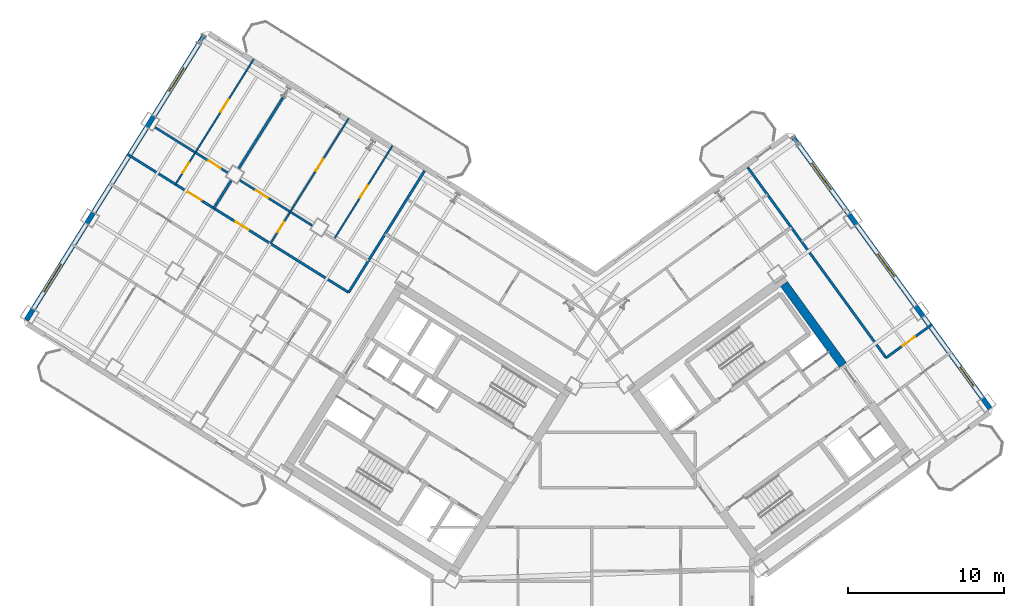
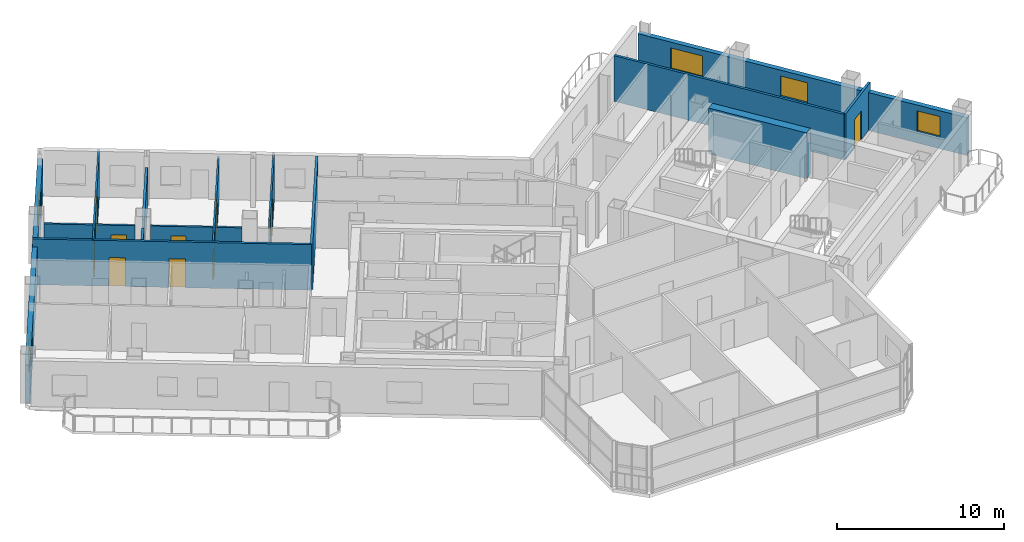
# One storey, part 15 of 20: 16 walls, 10 doors, 5 windows, 15 openings.
"""IFC4 building model written with IfcOpenShell, lengths in metres."""

from ifc_helpers import new_model, si_unit, direction, frame, frame_2d, origin, place, context, subcontext, project, spatial, rectangle, extrude, source, transform, mapped, material, layer, layer_set, type_object, element, fill, save


model = new_model("IFC4")

# Units and contexts
model_context = context("Model", 3, precision=1e-05, world=origin(), true_north=direction((0.0, 1.0)))
body_context = subcontext(model_context, "Body", "Model", "MODEL_VIEW")
ifc_project = project(units=[si_unit("LENGTHUNIT", "METRE"), si_unit("AREAUNIT", "SQUARE_METRE"), si_unit("VOLUMEUNIT", "CUBIC_METRE"), si_unit("PLANEANGLEUNIT", "RADIAN"), si_unit("MASSUNIT", "GRAM", prefix="KILO")], contexts=[model_context])

# Site, building, storey
site_placement = place(None, origin())
site = spatial("IfcSite", under=ifc_project, at=site_placement, CompositionType="ELEMENT")
building_placement = place(site_placement, origin())
building = spatial("IfcBuilding", under=site, at=building_placement, Name="Tlacorven Tower", CompositionType="ELEMENT")
storey_placement = place(building_placement, frame((0.0, 0.0, 116.10009765625)))
storey = spatial("IfcBuildingStorey", under=building, at=storey_placement, Name="L29", CompositionType="ELEMENT", Elevation=116.10009765625)

# Walls
ifc_material_1 = material(Name="Concrete C60/75", Category="concrete")
ifc_layer_1 = layer(ifc_material_1, 0.550048828125)
ifc_layer_set_1 = layer_set([ifc_layer_1], Name="Concrete C60/75")
wall_type_1 = type_object("IfcWallType", Name="WL-COR-550", PredefinedType="SHEAR", material=ifc_layer_set_1)
wall_1_placement = place(storey_placement, frame((58.06396484375, 25.8134765625, 0.0), z_axis=(0.0, 0.0, 1.0), x_axis=(-0.587764933797, 0.809031756236, 0.0)))
element("IfcWall", 1, at=wall_1_placement, inside=storey, type_object=wall_type_1, Name="L29 E core end wall E2.2", PredefinedType="SHEAR", context=body_context, shape_type="SweptSolid", body=[
    extrude(rectangle(XDim=6.425048828125, YDim=0.550048828125, at=frame_2d((3.21240234375, 0.0))), origin(), (0.0, 0.0, 1.0), 3.349853515625),
])
ifc_material_2 = material(Name="Gypsum plasterboard acoustic partition", Category="gypsum")
ifc_layer_2 = layer(ifc_material_2, 0.159912109375)
ifc_layer_set_2 = layer_set([ifc_layer_2], Name="Gypsum plasterboard acoustic partition")
wall_type_2 = type_object("IfcWallType", Name="WL-DEM-160", PredefinedType="PARTITIONING", material=ifc_layer_set_2)
wall_2_placement = place(storey_placement, frame((31.238525390625, 38.27392578125, 0.0), z_axis=(0.0, 0.0, 1.0), x_axis=(-0.529920220799, -0.848047498427, 0.0)))
element("IfcWall", 2, at=wall_2_placement, inside=storey, type_object=wall_type_2, Name="L29 partition 45", PredefinedType="PARTITIONING", context=body_context, shape_type="SweptSolid", body=[
    extrude(rectangle(XDim=9.199951171875, YDim=0.159912109375, at=frame_2d((4.60009765625, 0.0))), origin(), (0.0, 0.0, 1.0), 3.33984375),
])

# Wall, openings, doors
wall_3_placement = place(storey_placement, frame((26.36328125, 30.471923828125, 0.0), z_axis=(0.0, 0.0, 1.0), x_axis=(-0.848052408131, 0.529912363569, 0.0)))
wall_3 = element("IfcWall", 3, at=wall_3_placement, inside=storey, type_object=wall_type_2, Name="L29 Wing W Corridor South Wall", PredefinedType="PARTITIONING", context=body_context, shape_type="SweptSolid", body=[
    extrude(rectangle(XDim=16.72998046875, YDim=0.159912109375, at=frame_2d((8.364990234375, 0.0))), origin(), (0.0, 0.0, 1.0), 3.33984375),
])
opening_1_placement = place(wall_3_placement, frame((7.550048828125, 0.0, 0.0)))
opening_1 = element("IfcOpeningElement", 4, at=opening_1_placement, cuts=wall_3, Name="Opening D11", PredefinedType="OPENING", context=body_context, shape_type="SweptSolid", body=[
    extrude(rectangle(XDim=1.0, YDim=2.10009765625, at=frame_2d((0.5, 1.050048828125))), frame((0.0, 0.08984375, 0.0), z_axis=(0.0, -1.0, 0.0), x_axis=(1.0, 0.0, 0.0)), (0.0, 0.0, 1.0), 0.179931640625),
])
opening_2_placement = place(wall_3_placement, frame((11.139892578125, 0.0, 0.0)))
opening_2 = element("IfcOpeningElement", 5, at=opening_2_placement, cuts=wall_3, Name="Opening D11", PredefinedType="OPENING", context=body_context, shape_type="SweptSolid", body=[
    extrude(rectangle(XDim=1.0, YDim=2.10009765625, at=frame_2d((0.5, 1.050048828125))), frame((0.0, 0.08984375, 0.0), z_axis=(0.0, -1.0, 0.0), x_axis=(1.0, 0.0, 0.0)), (0.0, 0.0, 1.0), 0.179931640625),
])
ifc_material_3 = material(Name="Fire-rated steel door assembly", Category="steel")
door_type_1 = type_object("IfcDoorType", Name="DR-FLT-FD60-1000", OperationType="NOTDEFINED", PredefinedType="DOOR", material=ifc_material_3)
shared_shape_1 = source(origin(), body_context, "Body", "SweptSolid", [
    extrude(rectangle(XDim=1.0, YDim=2.10009765625, at=frame_2d((0.5, 1.050048828125))), frame((0.0, 0.02490234375, 0.0), z_axis=(0.0, -1.0, 0.0), x_axis=(1.0, 0.0, 0.0)), (0.0, 0.0, 1.0), 0.050048828125),
])
door_1_placement = place(opening_1_placement, origin())
door_1 = element("IfcDoor", 6, at=door_1_placement, inside=storey, type_object=door_type_1, Name="L29 door 030", OperationType="SINGLE_SWING_RIGHT", OverallHeight=2.10009765625, OverallWidth=1.0, PredefinedType="DOOR", context=body_context, shape_type="MappedRepresentation", body=[
    mapped(shared_shape_1, transform((0.0, 0.0, 0.0), scale=1.0)),
])
fill(opening_1, door_1)
door_2_placement = place(opening_2_placement, origin())
door_2 = element("IfcDoor", 7, at=door_2_placement, inside=storey, type_object=door_type_1, Name="L29 door 036", OperationType="SINGLE_SWING_RIGHT", OverallHeight=2.10009765625, OverallWidth=1.0, PredefinedType="DOOR", context=body_context, shape_type="MappedRepresentation", body=[
    mapped(shared_shape_1, transform((0.0, 0.0, 0.0), scale=1.0)),
])
fill(opening_2, door_2)

# Walls
wall_4_placement = place(storey_placement, frame((22.179931640625, 43.00634765625, 0.0), z_axis=(0.0, 0.0, 1.0), x_axis=(-0.529913610495, -0.848051628978, 0.0)))
element("IfcWall", 8, at=wall_4_placement, inside=storey, type_object=wall_type_2, Name="L29 WS Demising Wall 1", PredefinedType="PARTITIONING", context=body_context, shape_type="SweptSolid", body=[
    extrude(rectangle(XDim=5.40087890625, YDim=0.159912109375, at=frame_2d((2.700439453125, 0.0))), origin(), (0.0, 0.0, 1.0), 2.77490234375),
])
wall_5_placement = place(storey_placement, frame((18.828125, 37.642578125, 0.0), z_axis=(0.0, 0.0, 1.0), x_axis=(-0.529904345651, -0.848057418139, 0.0)))
element("IfcWall", 9, at=wall_5_placement, inside=storey, type_object=wall_type_2, Name="L29 WS Demising Wall 1", PredefinedType="PARTITIONING", context=body_context, shape_type="SweptSolid", body=[
    extrude(rectangle(XDim=2.087890625, YDim=0.159912109375, at=frame_2d((1.0439453125, 0.0))), origin(), (0.0, 0.0, 1.0), 2.77490234375),
])
wall_6_placement = place(storey_placement, frame((60.829345703125, 26.277587890625, 0.0), z_axis=(0.0, 0.0, 1.0), x_axis=(-0.587777474174, 0.809022645451, 0.0)))
element("IfcWall", 10, at=wall_6_placement, inside=storey, type_object=wall_type_2, Name="L29 partition 90", PredefinedType="PARTITIONING", context=body_context, shape_type="SweptSolid", body=[
    extrude(rectangle(XDim=15.10009765625, YDim=0.159912109375, at=frame_2d((7.550048828125, 0.0))), origin(), (0.0, 0.0, 1.0), 3.33984375),
])

# Wall, opening, door
wall_7_placement = place(storey_placement, frame((60.829345703125, 26.277587890625, 0.0), z_axis=(0.0, 0.0, 1.0), x_axis=(0.809003564202, 0.587803736896, 0.0)))
wall_7 = element("IfcWall", 11, at=wall_7_placement, inside=storey, type_object=wall_type_2, Name="L29 partition 93", PredefinedType="PARTITIONING", context=body_context, shape_type="SweptSolid", body=[
    extrude(rectangle(XDim=3.630126953125, YDim=0.159912109375, at=frame_2d((1.81494140625, 0.0))), origin(), (0.0, 0.0, 1.0), 3.33984375),
])
opening_3_placement = place(wall_7_placement, frame((1.304931640625, 0.0, 0.0)))
opening_3 = element("IfcOpeningElement", 12, at=opening_3_placement, cuts=wall_7, Name="Opening D11", PredefinedType="OPENING", context=body_context, shape_type="SweptSolid", body=[
    extrude(rectangle(XDim=1.0, YDim=2.10009765625, at=frame_2d((0.5, 1.050048828125))), frame((0.0, 0.08984375, 0.0), z_axis=(0.0, -1.0, 0.0), x_axis=(1.0, 0.0, 0.0)), (0.0, 0.0, 1.0), 0.179931640625),
])
door_3_placement = place(opening_3_placement, origin())
door_3 = element("IfcDoor", 13, at=door_3_placement, inside=storey, type_object=door_type_1, Name="L29 door 058", OperationType="SINGLE_SWING_LEFT", OverallHeight=2.10009765625, OverallWidth=1.0, PredefinedType="DOOR", context=body_context, shape_type="MappedRepresentation", body=[
    mapped(shared_shape_1, transform((0.0, 0.0, 0.0), scale=1.0)),
])
fill(opening_3, door_3)

# Wall, openings, windows
ifc_material_4 = material(Name="Precast concrete C45/55", Category="concrete")
ifc_layer_3 = layer(ifc_material_4, 0.320068359375)
ifc_layer_set_3 = layer_set([ifc_layer_3], Name="Precast concrete C45/55")
wall_type_3 = type_object("IfcWallType", Name="WL-EXT-320", PredefinedType="STANDARD", material=ifc_layer_set_3)
wall_8_placement = place(storey_placement, frame((5.699951171875, 28.71044921875, 0.0), z_axis=(0.0, 0.0, 1.0), x_axis=(0.529923711467, 0.8480453172, 0.0)))
wall_8 = element("IfcWall", 14, at=wall_8_placement, inside=storey, type_object=wall_type_3, Name="L29 Masonry-Frame Recessed Facade Wall 2", PredefinedType="STANDARD", context=body_context, shape_type="SweptSolid", body=[
    extrude(rectangle(XDim=21.58740234375, YDim=0.320068359375, at=frame_2d((10.793701171875, 0.0))), origin(), (0.0, 0.0, 1.0), 2.77490234375),
])
opening_4_placement = place(wall_8_placement, frame((2.11865234375, 0.0, 0.800048828125)))
opening_4 = element("IfcOpeningElement", 15, at=opening_4_placement, cuts=wall_8, Name="Opening WN04", PredefinedType="OPENING", context=body_context, shape_type="SweptSolid", body=[
    extrude(rectangle(XDim=2.10009765625, YDim=1.550048828125, at=frame_2d((1.050048828125, 0.77490234375))), frame((0.0, 0.169921875, 0.0), z_axis=(0.0, -1.0, 0.0), x_axis=(1.0, 0.0, 0.0)), (0.0, 0.0, 1.0), 0.340087890625),
])
opening_5_placement = place(wall_8_placement, frame((17.256103515625, 0.0, 0.85009765625)))
opening_5 = element("IfcOpeningElement", 16, at=opening_5_placement, cuts=wall_8, Name="Opening WN01", PredefinedType="OPENING", context=body_context, shape_type="SweptSolid", body=[
    extrude(rectangle(XDim=1.800048828125, YDim=1.5, at=frame_2d((0.89990234375, 0.75))), frame((0.0, 0.169921875, 0.0), z_axis=(0.0, -1.0, 0.0), x_axis=(1.0, 0.0, 0.0)), (0.0, 0.0, 1.0), 0.340087890625),
])
ifc_material_5 = material(Name="Dark solar low-E double glazing in anodised aluminium frame", Category="aluminium")
window_type_1 = type_object("IfcWindowType", Name="WN-APT-2100X1750", PartitioningType="SINGLE_PANEL", PredefinedType="WINDOW", material=ifc_material_5)
shared_shape_2 = source(origin(), body_context, "Body", "SweptSolid", [
    extrude(rectangle(XDim=2.10009765625, YDim=1.550048828125, at=frame_2d((1.050048828125, 0.77490234375))), frame((0.0, 0.030029296875, 0.0), z_axis=(0.0, -1.0, 0.0), x_axis=(1.0, 0.0, 0.0)), (0.0, 0.0, 1.0), 0.06005859375),
])
window_1_placement = place(opening_4_placement, origin())
window_1 = element("IfcWindow", 17, at=window_1_placement, inside=storey, type_object=window_type_1, Name="L29 Recessed Masonry-Frame Window L29-02.1", OverallHeight=1.550048828125, OverallWidth=2.10009765625, PartitioningType="SINGLE_PANEL", PredefinedType="WINDOW", context=body_context, shape_type="MappedRepresentation", body=[
    mapped(shared_shape_2, transform((0.0, 0.0, 0.0), scale=1.0)),
])
fill(opening_4, window_1)
window_type_2 = type_object("IfcWindowType", Name="WN-APT-1800X1650", PartitioningType="SINGLE_PANEL", PredefinedType="WINDOW", material=ifc_material_5)
shared_shape_3 = source(origin(), body_context, "Body", "SweptSolid", [
    extrude(rectangle(XDim=1.800048828125, YDim=1.5, at=frame_2d((0.89990234375, 0.75))), frame((0.0, 0.030029296875, 0.0), z_axis=(0.0, -1.0, 0.0), x_axis=(1.0, 0.0, 0.0)), (0.0, 0.0, 1.0), 0.06005859375),
])
window_2_placement = place(opening_5_placement, origin())
window_2 = element("IfcWindow", 18, at=window_2_placement, inside=storey, type_object=window_type_2, Name="L29 Recessed Masonry-Frame Window L29-02.2", OverallHeight=1.5, OverallWidth=1.800048828125, PartitioningType="SINGLE_PANEL", PredefinedType="WINDOW", context=body_context, shape_type="MappedRepresentation", body=[
    mapped(shared_shape_3, transform((0.0, 0.0, 0.0), scale=1.0)),
])
fill(opening_5, window_2)

wall_9_placement = place(storey_placement, frame((54.810302734375, 40.49951171875, 0.0), z_axis=(0.0, 0.0, 1.0), x_axis=(0.587783625747, -0.809018176127, 0.0)))
wall_9 = element("IfcWall", 19, at=wall_9_placement, inside=storey, type_object=wall_type_3, Name="L29 Masonry-Frame Recessed Facade Wall 5", PredefinedType="STANDARD", context=body_context, shape_type="SweptSolid", body=[
    extrude(rectangle(XDim=21.58740234375, YDim=0.320068359375, at=frame_2d((10.793701171875, 0.0))), origin(), (0.0, 0.0, 1.0), 2.77490234375),
])
opening_6_placement = place(wall_9_placement, frame((2.142578125, 0.0, 0.800048828125)))
opening_6 = element("IfcOpeningElement", 20, at=opening_6_placement, cuts=wall_9, Name="Opening WN04", PredefinedType="OPENING", context=body_context, shape_type="SweptSolid", body=[
    extrude(rectangle(XDim=2.10009765625, YDim=1.550048828125, at=frame_2d((1.050048828125, 0.77490234375))), frame((0.0, 0.169921875, 0.0), z_axis=(0.0, -1.0, 0.0), x_axis=(1.0, 0.0, 0.0)), (0.0, 0.0, 1.0), 0.340087890625),
])
opening_7_placement = place(wall_9_placement, frame((9.34375, 0.0, 0.85009765625)))
opening_7 = element("IfcOpeningElement", 21, at=opening_7_placement, cuts=wall_9, Name="Opening WN01", PredefinedType="OPENING", context=body_context, shape_type="SweptSolid", body=[
    extrude(rectangle(XDim=1.800048828125, YDim=1.5, at=frame_2d((0.89990234375, 0.75))), frame((0.0, 0.169921875, 0.0), z_axis=(0.0, -1.0, 0.0), x_axis=(1.0, 0.0, 0.0)), (0.0, 0.0, 1.0), 0.340087890625),
])
opening_8_placement = place(wall_9_placement, frame((18.30859375, 0.0, 0.85009765625)))
opening_8 = element("IfcOpeningElement", 22, at=opening_8_placement, cuts=wall_9, Name="Opening WN02", PredefinedType="OPENING", context=body_context, shape_type="SweptSolid", body=[
    extrude(rectangle(XDim=1.5, YDim=1.5, at=frame_2d((0.75, 0.75))), frame((0.0, 0.169921875, 0.0), z_axis=(0.0, -1.0, 0.0), x_axis=(1.0, 0.0, 0.0)), (0.0, 0.0, 1.0), 0.340087890625),
])
window_3_placement = place(opening_6_placement, origin())
window_3 = element("IfcWindow", 23, at=window_3_placement, inside=storey, type_object=window_type_1, Name="L29 Recessed Masonry-Frame Window L29-05.1", OverallHeight=1.550048828125, OverallWidth=2.10009765625, PartitioningType="SINGLE_PANEL", PredefinedType="WINDOW", context=body_context, shape_type="MappedRepresentation", body=[
    mapped(shared_shape_2, transform((0.0, 0.0, 0.0), scale=1.0)),
])
fill(opening_6, window_3)
window_4_placement = place(opening_7_placement, origin())
window_4 = element("IfcWindow", 24, at=window_4_placement, inside=storey, type_object=window_type_2, Name="L29 Recessed Masonry-Frame Window L29-05.2", OverallHeight=1.5, OverallWidth=1.800048828125, PartitioningType="SINGLE_PANEL", PredefinedType="WINDOW", context=body_context, shape_type="MappedRepresentation", body=[
    mapped(shared_shape_3, transform((0.0, 0.0, 0.0), scale=1.0)),
])
fill(opening_7, window_4)
window_type_3 = type_object("IfcWindowType", Name="WN-APT-1500X1650", PartitioningType="SINGLE_PANEL", PredefinedType="WINDOW", material=ifc_material_5)
shared_shape_4 = source(origin(), body_context, "Body", "SweptSolid", [
    extrude(rectangle(XDim=1.5, YDim=1.5, at=frame_2d((0.75, 0.75))), frame((0.0, 0.030029296875, 0.0), z_axis=(0.0, -1.0, 0.0), x_axis=(1.0, 0.0, 0.0)), (0.0, 0.0, 1.0), 0.06005859375),
])
window_5_placement = place(opening_8_placement, origin())
window_5 = element("IfcWindow", 25, at=window_5_placement, inside=storey, type_object=window_type_3, Name="L29 Recessed Masonry-Frame Window L29-05.3", OverallHeight=1.5, OverallWidth=1.5, PartitioningType="SINGLE_PANEL", PredefinedType="WINDOW", context=body_context, shape_type="MappedRepresentation", body=[
    mapped(shared_shape_4, transform((0.0, 0.0, 0.0), scale=1.0)),
])
fill(opening_8, window_5)

# Wall, openings, doors
ifc_material_6 = material(Name="Gypsum plasterboard partition", Category="gypsum")
ifc_layer_4 = layer(ifc_material_6, 0.110107421875)
ifc_layer_set_4 = layer_set([ifc_layer_4], Name="Gypsum plasterboard partition")
wall_type_4 = type_object("IfcWallType", Name="WL-INT-110", PredefinedType="PARTITIONING", material=ifc_layer_set_4)
wall_10_placement = place(storey_placement, frame((26.36962890625, 41.634765625, 0.0), z_axis=(0.0, 0.0, 1.0), x_axis=(-0.529917830441, -0.848048992088, 0.0)))
wall_10 = element("IfcWall", 26, at=wall_10_placement, inside=storey, type_object=wall_type_4, Name="L29 partition 57", PredefinedType="PARTITIONING", context=body_context, shape_type="SweptSolid", body=[
    extrude(rectangle(XDim=9.469970703125, YDim=0.110107421875, at=frame_2d((4.73486328125, 0.0))), origin(), (0.0, 0.0, 1.0), 2.994873046875),
])
opening_9_placement = place(wall_10_placement, frame((7.830078125, 0.0, 0.0)))
opening_9 = element("IfcOpeningElement", 27, at=opening_9_placement, cuts=wall_10, Name="Opening D22", PredefinedType="OPENING", context=body_context, shape_type="SweptSolid", body=[
    extrude(rectangle(XDim=0.780029296875, YDim=2.050048828125, at=frame_2d((0.39013671875, 1.02490234375))), frame((0.0, 0.06494140625, 0.0), z_axis=(0.0, -1.0, 0.0), x_axis=(1.0, 0.0, 0.0)), (0.0, 0.0, 1.0), 0.130126953125),
])
opening_10_placement = place(wall_10_placement, frame((3.074951171875, 0.0, 0.0)))
opening_10 = element("IfcOpeningElement", 28, at=opening_10_placement, cuts=wall_10, Name="Opening D12", PredefinedType="OPENING", context=body_context, shape_type="SweptSolid", body=[
    extrude(rectangle(XDim=0.919921875, YDim=2.080078125, at=frame_2d((0.4599609375, 1.0400390625))), frame((0.0, 0.06494140625, 0.0), z_axis=(0.0, -1.0, 0.0), x_axis=(1.0, 0.0, 0.0)), (0.0, 0.0, 1.0), 0.130126953125),
])
ifc_material_7 = material(Name="Powder-coated aluminium and timber door", Category="wood")
door_type_2 = type_object("IfcDoorType", Name="DR-INT-WET-0780", OperationType="NOTDEFINED", PredefinedType="DOOR", material=ifc_material_7)
shared_shape_5 = source(origin(), body_context, "Body", "SweptSolid", [
    extrude(rectangle(XDim=0.780029296875, YDim=2.050048828125, at=frame_2d((0.39013671875, 1.02490234375))), frame((0.0, 0.02490234375, 0.0), z_axis=(0.0, -1.0, 0.0), x_axis=(1.0, 0.0, 0.0)), (0.0, 0.0, 1.0), 0.050048828125),
])
door_4_placement = place(opening_9_placement, origin())
door_4 = element("IfcDoor", 29, at=door_4_placement, inside=storey, type_object=door_type_2, Name="L29 door 032", OperationType="SINGLE_SWING_RIGHT", OverallHeight=2.050048828125, OverallWidth=0.780029296875, PredefinedType="DOOR", context=body_context, shape_type="MappedRepresentation", body=[
    mapped(shared_shape_5, transform((0.0, 0.0, 0.0), scale=1.0)),
])
fill(opening_9, door_4)
door_type_3 = type_object("IfcDoorType", Name="DR-INT-ROOM-0920", OperationType="NOTDEFINED", PredefinedType="DOOR", material=ifc_material_7)
shared_shape_6 = source(origin(), body_context, "Body", "SweptSolid", [
    extrude(rectangle(XDim=0.919921875, YDim=2.080078125, at=frame_2d((0.4599609375, 1.0400390625))), frame((0.0, 0.02490234375, 0.0), z_axis=(0.0, -1.0, 0.0), x_axis=(1.0, 0.0, 0.0)), (0.0, 0.0, 1.0), 0.050048828125),
])
door_5_placement = place(opening_10_placement, origin())
door_5 = element("IfcDoor", 30, at=door_5_placement, inside=storey, type_object=door_type_3, Name="L29 door 033", OperationType="SINGLE_SWING_LEFT", OverallHeight=2.080078125, OverallWidth=0.919921875, PredefinedType="DOOR", context=body_context, shape_type="MappedRepresentation", body=[
    mapped(shared_shape_6, transform((0.0, 0.0, 0.0), scale=1.0)),
])
fill(opening_10, door_5)

# Wall, opening, door
wall_11_placement = place(storey_placement, frame((29.1767578125, 39.880615234375, 0.0), z_axis=(0.0, 0.0, 1.0), x_axis=(-0.529930649952, -0.848040981463, 0.0)))
wall_11 = element("IfcWall", 31, at=wall_11_placement, inside=storey, type_object=wall_type_4, Name="L29 partition 61", PredefinedType="PARTITIONING", context=body_context, shape_type="SweptSolid", body=[
    extrude(rectangle(XDim=7.070068359375, YDim=0.110107421875, at=frame_2d((3.53515625, 0.0))), origin(), (0.0, 0.0, 1.0), 3.33984375),
])
opening_11_placement = place(wall_11_placement, frame((3.0, 0.0, 0.0)))
opening_11 = element("IfcOpeningElement", 32, at=opening_11_placement, cuts=wall_11, Name="Opening D12", PredefinedType="OPENING", context=body_context, shape_type="SweptSolid", body=[
    extrude(rectangle(XDim=0.919921875, YDim=2.080078125, at=frame_2d((0.4599609375, 1.0400390625))), frame((0.0, 0.06494140625, 0.0), z_axis=(0.0, -1.0, 0.0), x_axis=(1.0, 0.0, 0.0)), (0.0, 0.0, 1.0), 0.130126953125),
])
door_6_placement = place(opening_11_placement, origin())
door_6 = element("IfcDoor", 33, at=door_6_placement, inside=storey, type_object=door_type_3, Name="L29 door 034", OperationType="SINGLE_SWING_RIGHT", OverallHeight=2.080078125, OverallWidth=0.919921875, PredefinedType="DOOR", context=body_context, shape_type="MappedRepresentation", body=[
    mapped(shared_shape_6, transform((0.0, 0.0, 0.0), scale=1.0)),
])
fill(opening_11, door_6)

# Wall, openings, doors
wall_12_placement = place(storey_placement, frame((20.280517578125, 45.439697265625, 0.0), z_axis=(0.0, 0.0, 1.0), x_axis=(-0.529917830441, -0.848048992088, 0.0)))
wall_12 = element("IfcWall", 34, at=wall_12_placement, inside=storey, type_object=wall_type_4, Name="L29 partition 62", PredefinedType="PARTITIONING", context=body_context, shape_type="SweptSolid", body=[
    extrude(rectangle(XDim=9.469970703125, YDim=0.110107421875, at=frame_2d((4.73486328125, 0.0))), origin(), (0.0, 0.0, 1.0), 3.33984375),
])
opening_12_placement = place(wall_12_placement, frame((7.830078125, 0.0, 0.0)))
opening_12 = element("IfcOpeningElement", 35, at=opening_12_placement, cuts=wall_12, Name="Opening D22", PredefinedType="OPENING", context=body_context, shape_type="SweptSolid", body=[
    extrude(rectangle(XDim=0.780029296875, YDim=2.050048828125, at=frame_2d((0.39013671875, 1.02490234375))), frame((0.0, 0.06494140625, 0.0), z_axis=(0.0, -1.0, 0.0), x_axis=(1.0, 0.0, 0.0)), (0.0, 0.0, 1.0), 0.130126953125),
])
opening_13_placement = place(wall_12_placement, frame((3.074951171875, 0.0, 0.0)))
opening_13 = element("IfcOpeningElement", 36, at=opening_13_placement, cuts=wall_12, Name="Opening D12", PredefinedType="OPENING", context=body_context, shape_type="SweptSolid", body=[
    extrude(rectangle(XDim=0.919921875, YDim=2.080078125, at=frame_2d((0.4599609375, 1.0400390625))), frame((0.0, 0.06494140625, 0.0), z_axis=(0.0, -1.0, 0.0), x_axis=(1.0, 0.0, 0.0)), (0.0, 0.0, 1.0), 0.130126953125),
])
door_7_placement = place(opening_12_placement, origin())
door_7 = element("IfcDoor", 37, at=door_7_placement, inside=storey, type_object=door_type_2, Name="L29 door 038", OperationType="SINGLE_SWING_RIGHT", OverallHeight=2.050048828125, OverallWidth=0.780029296875, PredefinedType="DOOR", context=body_context, shape_type="MappedRepresentation", body=[
    mapped(shared_shape_5, transform((0.0, 0.0, 0.0), scale=1.0)),
])
fill(opening_12, door_7)
door_8_placement = place(opening_13_placement, origin())
door_8 = element("IfcDoor", 38, at=door_8_placement, inside=storey, type_object=door_type_3, Name="L29 door 039", OperationType="SINGLE_SWING_LEFT", OverallHeight=2.080078125, OverallWidth=0.919921875, PredefinedType="DOOR", context=body_context, shape_type="MappedRepresentation", body=[
    mapped(shared_shape_6, transform((0.0, 0.0, 0.0), scale=1.0)),
])
fill(opening_13, door_8)

# Wall, opening, door
ifc_material_8 = material(Name="Moisture-resistant gypsum plumbing wall", Category="gypsum")
ifc_layer_5 = layer(ifc_material_8, 0.139892578125)
ifc_layer_set_5 = layer_set([ifc_layer_5], Name="Moisture-resistant gypsum plumbing wall")
wall_type_5 = type_object("IfcWallType", Name="WL-PLM-140", PredefinedType="PLUMBINGWALL", material=ifc_layer_set_5)
wall_13_placement = place(storey_placement, frame((22.623046875, 35.63916015625, 0.0), z_axis=(0.0, 0.0, 1.0), x_axis=(-0.8480485946, 0.529918466555, 0.0)))
wall_13 = element("IfcWall", 39, at=wall_13_placement, inside=storey, type_object=wall_type_5, Name="L29 partition 59", PredefinedType="PLUMBINGWALL", context=body_context, shape_type="SweptSolid", body=[
    extrude(rectangle(XDim=3.81787109375, YDim=0.139892578125, at=frame_2d((1.908935546875, 0.0))), origin(), (0.0, 0.0, 1.0), 2.77490234375),
])
opening_14_placement = place(wall_13_placement, frame((1.679931640625, 0.0, 0.0)))
opening_14 = element("IfcOpeningElement", 40, at=opening_14_placement, cuts=wall_13, Name="Opening D12", PredefinedType="OPENING", context=body_context, shape_type="SweptSolid", body=[
    extrude(rectangle(XDim=0.919921875, YDim=2.080078125, at=frame_2d((0.4599609375, 1.0400390625))), frame((0.0, 0.080078125, 0.0), z_axis=(0.0, -1.0, 0.0), x_axis=(1.0, 0.0, 0.0)), (0.0, 0.0, 1.0), 0.159912109375),
])
door_9_placement = place(opening_14_placement, origin())
door_9 = element("IfcDoor", 41, at=door_9_placement, inside=storey, type_object=door_type_3, Name="L29 door 031", OperationType="SINGLE_SWING_LEFT", OverallHeight=2.080078125, OverallWidth=0.919921875, PredefinedType="DOOR", context=body_context, shape_type="MappedRepresentation", body=[
    mapped(shared_shape_6, transform((0.0, 0.0, 0.0), scale=1.0)),
])
fill(opening_14, door_9)

# Wall
wall_14_placement = place(storey_placement, frame((24.029052734375, 34.760498046875, 0.0), z_axis=(0.0, 0.0, 1.0), x_axis=(-0.848023120795, 0.529959231071, 0.0)))
element("IfcWall", 42, at=wall_14_placement, inside=storey, type_object=wall_type_5, Name="L29 partition 60", PredefinedType="PLUMBINGWALL", context=body_context, shape_type="SweptSolid", body=[
    extrude(rectangle(XDim=1.657958984375, YDim=0.139892578125, at=frame_2d((0.8291015625, 0.0))), origin(), (0.0, 0.0, 1.0), 2.77490234375),
])

# Wall, opening, door
wall_15_placement = place(storey_placement, frame((18.6015625, 38.15185546875, 0.0), z_axis=(0.0, 0.0, 1.0), x_axis=(-0.848020807548, 0.529962932634, 0.0)))
wall_15 = element("IfcWall", 43, at=wall_15_placement, inside=storey, type_object=wall_type_5, Name="L29 partition 64", PredefinedType="PLUMBINGWALL", context=body_context, shape_type="SweptSolid", body=[
    extrude(rectangle(XDim=2.43798828125, YDim=0.139892578125, at=frame_2d((1.218994140625, 0.0))), origin(), (0.0, 0.0, 1.0), 2.77490234375),
])
opening_15_placement = place(wall_15_placement, frame((0.528076171875, 0.0, 0.0)))
opening_15 = element("IfcOpeningElement", 44, at=opening_15_placement, cuts=wall_15, Name="Opening D12", PredefinedType="OPENING", context=body_context, shape_type="SweptSolid", body=[
    extrude(rectangle(XDim=0.919921875, YDim=2.080078125, at=frame_2d((0.4599609375, 1.0400390625))), frame((0.0, 0.080078125, 0.0), z_axis=(0.0, -1.0, 0.0), x_axis=(1.0, 0.0, 0.0)), (0.0, 0.0, 1.0), 0.159912109375),
])
door_10_placement = place(opening_15_placement, origin())
door_10 = element("IfcDoor", 45, at=door_10_placement, inside=storey, type_object=door_type_3, Name="L29 door 037", OperationType="SINGLE_SWING_RIGHT", OverallHeight=2.080078125, OverallWidth=0.919921875, PredefinedType="DOOR", context=body_context, shape_type="MappedRepresentation", body=[
    mapped(shared_shape_6, transform((0.0, 0.0, 0.0), scale=1.0)),
])
fill(opening_15, door_10)

# Wall
wall_16_placement = place(storey_placement, frame((16.5341796875, 39.44384765625, 0.0), z_axis=(0.0, 0.0, 1.0), x_axis=(-0.848056989933, 0.52990503095, 0.0)))
element("IfcWall", 46, at=wall_16_placement, inside=storey, type_object=wall_type_5, Name="L29 partition 65", PredefinedType="PLUMBINGWALL", context=body_context, shape_type="SweptSolid", body=[
    extrude(rectangle(XDim=3.0380859375, YDim=0.139892578125, at=frame_2d((1.51904296875, 0.0))), origin(), (0.0, 0.0, 1.0), 2.77490234375),
])

save(model, "model.ifc")
